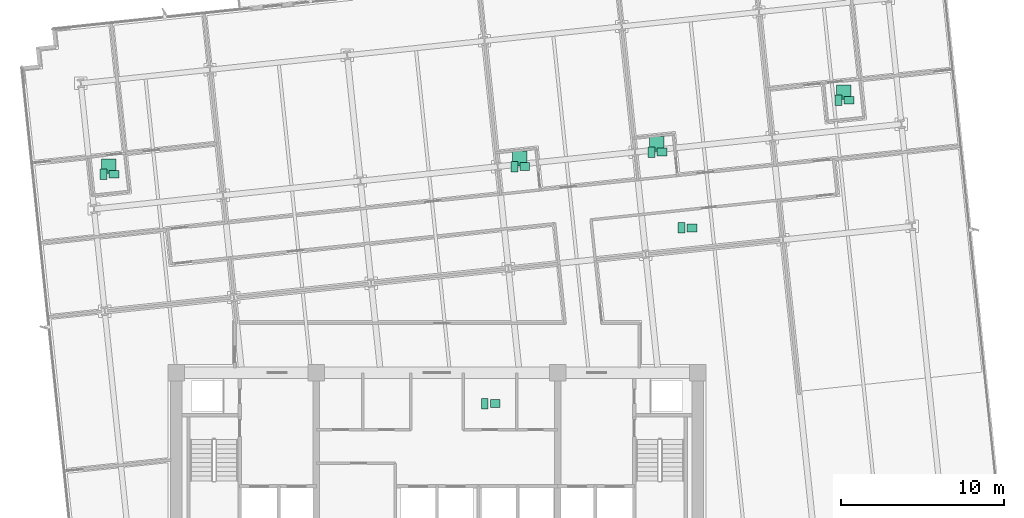
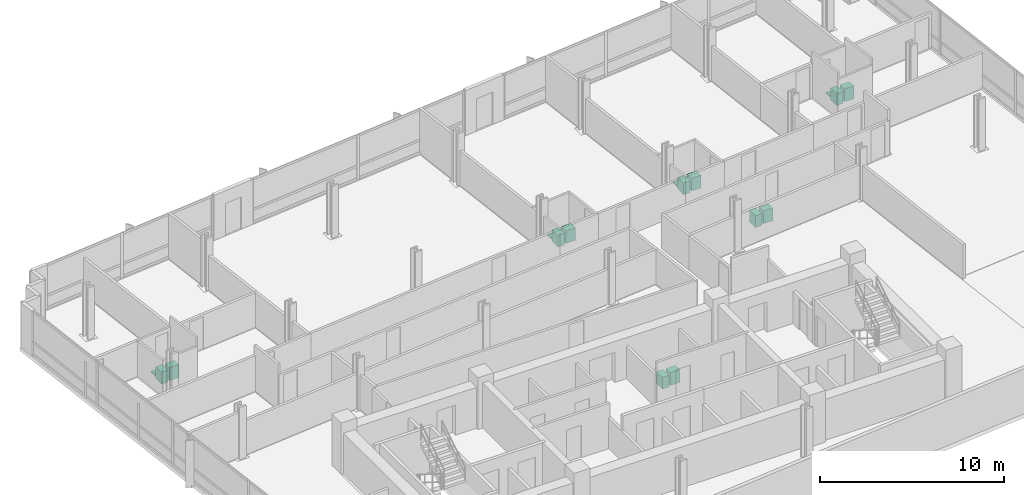
# One storey, part 18 of 18: 16 sanitary terminals.
"""IFC4 building model written with IfcOpenShell, lengths in metres."""

from ifc_helpers import new_model, si_unit, direction, frame, origin, origin_2d, place, context, subcontext, project, spatial, rectangle, extrude, material, type_object, element, save


model = new_model("IFC4")

# Units and contexts
model_context = context("Model", 3, precision=1e-05, world=origin(), true_north=direction((0.0, 1.0)))
body_context = subcontext(model_context, "Body", "Model", "MODEL_VIEW")
ifc_project = project(units=[si_unit("LENGTHUNIT", "METRE"), si_unit("AREAUNIT", "SQUARE_METRE"), si_unit("VOLUMEUNIT", "CUBIC_METRE"), si_unit("PLANEANGLEUNIT", "RADIAN"), si_unit("MASSUNIT", "GRAM", prefix="KILO")], contexts=[model_context])

# Site, building, storey
site_placement = place(None, origin())
site = spatial("IfcSite", under=ifc_project, at=site_placement, CompositionType="ELEMENT")
building_placement = place(site_placement, origin())
building = spatial("IfcBuilding", under=site, at=building_placement, Name="Solmavex Isthmus Hotel", CompositionType="ELEMENT")
storey_placement = place(building_placement, frame((0.0, 0.0, 127.050048828125)))
storey = spatial("IfcBuildingStorey", under=building, at=storey_placement, Name="L34", CompositionType="ELEMENT", Elevation=127.050048828125)

# Sanitary terminals
ifc_material = material(Name="Vitreous china ceramic", Category="ceramic")
sanitary_terminal_type_1 = type_object("IfcSanitaryTerminalType", Name="SAN-BASIN", PredefinedType="WASHHANDBASIN", material=ifc_material)
for number, where, z_axis, x_axis, name in (
    (1, (3.570068359375, -4.385009765625, 0.0), (0.0, 0.0, 1.0), (1.0, 0.0, 0.0), "Vanity Washbasin L34-159"),
    (2, (-19.8203125, 9.68017578125, 0.0), (0.0, 0.0, 1.0), (1.0, 0.0, 0.0), "Vanity Washbasin L34-160"),
    (3, (5.38623046875, 10.152099609375, 0.0), (0.0, 0.0, 1.0), (1.0, 0.0, 0.0), "Vanity Washbasin L34-161"),
    (4, (13.805908203125, 11.036865234375, 0.0), (0.0, 0.0, 1.0), (1.0, 0.0, 0.0), "Vanity Washbasin L34-162"),
    (5, (25.264404296875, 14.217529296875, 0.0), (0.0, 0.0, 1.0), (1.0, 0.0, 0.0), "Vanity Washbasin L34-163"),
    (6, (15.6416015625, 6.38818359375, 0.0), (0.0, 0.0, 1.0), (1.0, 0.0, 0.0), "Vanity Washbasin L34-164"),
):
    element("IfcSanitaryTerminal", number, at=place(storey_placement, frame(where, z_axis=z_axis, x_axis=x_axis)), inside=storey, type_object=sanitary_terminal_type_1, Name=name, PredefinedType="WASHHANDBASIN", context=body_context, shape_type="SweptSolid", body=[
        extrude(rectangle(XDim=0.60009765625, YDim=0.47998046875, at=origin_2d()), origin(), (0.0, 0.0, 1.0), 0.85009765625),
    ])
sanitary_terminal_type_2 = type_object("IfcSanitaryTerminalType", Name="SAN-SHOWER", PredefinedType="SHOWER", material=ifc_material)
for number, where, z_axis, x_axis, name in (
    (7, (-20.14013671875, 10.18017578125, 0.0), (0.0, 0.0, 1.0), (1.0, 0.0, 0.0), "Walk-In Shower L34-160"),
    (8, (5.066162109375, 10.652099609375, 0.0), (0.0, 0.0, 1.0), (1.0, 0.0, 0.0), "Walk-In Shower L34-161"),
    (9, (13.48583984375, 11.536865234375, 0.0), (0.0, 0.0, 1.0), (1.0, 0.0, 0.0), "Walk-In Shower L34-162"),
    (10, (24.944580078125, 14.717529296875, 0.0), (0.0, 0.0, 1.0), (1.0, 0.0, 0.0), "Walk-In Shower L34-163"),
):
    element("IfcSanitaryTerminal", number, at=place(storey_placement, frame(where, z_axis=z_axis, x_axis=x_axis)), inside=storey, type_object=sanitary_terminal_type_2, Name=name, PredefinedType="SHOWER", context=body_context, shape_type="SweptSolid", body=[
        extrude(rectangle(XDim=0.89990234375, YDim=0.89990234375, at=origin_2d()), origin(), (0.0, 0.0, 1.0), 0.080078125),
    ])
sanitary_terminal_type_3 = type_object("IfcSanitaryTerminalType", Name="SAN-WC-SUITE", PredefinedType="TOILETPAN", material=ifc_material)
for number, where, z_axis, x_axis, name in (
    (11, (2.929931640625, -4.385009765625, 0.0), (0.0, 0.0, 1.0), (1.0, 0.0, 0.0), "Water Closet L34-159"),
    (12, (-20.460205078125, 9.68017578125, 0.0), (0.0, 0.0, 1.0), (1.0, 0.0, 0.0), "Water Closet L34-160"),
    (13, (4.74609375, 10.152099609375, 0.0), (0.0, 0.0, 1.0), (1.0, 0.0, 0.0), "Water Closet L34-161"),
    (14, (13.165771484375, 11.036865234375, 0.0), (0.0, 0.0, 1.0), (1.0, 0.0, 0.0), "Water Closet L34-162"),
    (15, (24.62451171875, 14.217529296875, 0.0), (0.0, 0.0, 1.0), (1.0, 0.0, 0.0), "Water Closet L34-163"),
    (16, (15.001708984375, 6.38818359375, 0.0), (0.0, 0.0, 1.0), (1.0, 0.0, 0.0), "Water Closet L34-164"),
):
    element("IfcSanitaryTerminal", number, at=place(storey_placement, frame(where, z_axis=z_axis, x_axis=x_axis)), inside=storey, type_object=sanitary_terminal_type_3, Name=name, PredefinedType="TOILETPAN", context=body_context, shape_type="SweptSolid", body=[
        extrude(rectangle(XDim=0.419921875, YDim=0.64990234375, at=origin_2d()), origin(), (0.0, 0.0, 1.0), 0.780029296875),
    ])

save(model, "model.ifc")
